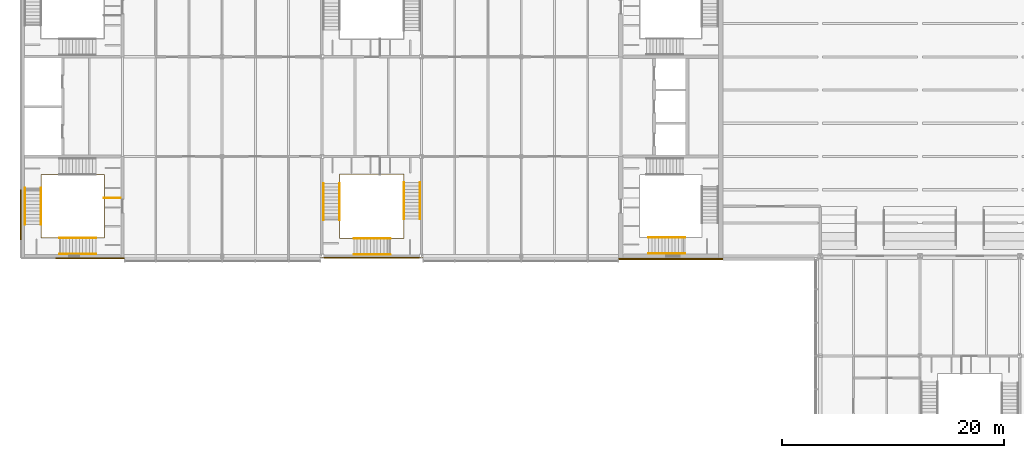
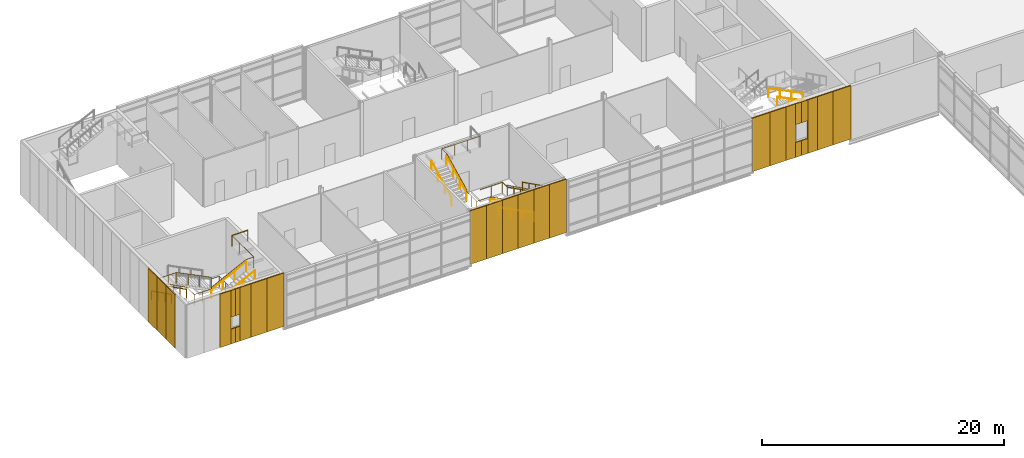
# One storey, part 46 of 52: 27 coverings, 15 railings.
"""IFC4 building model written with IfcOpenShell, lengths in metres."""

import ifcopenshell
import ifcopenshell.guid

model = None  # the IFC model being written
_history = None  # IfcOwnerHistory: only IFC2X3 demands one
_inside = {}  # id of a spatial element -> (the spatial element, [elements in it])
_under = {}  # id of a project, library or spatial element -> (it, [spatial elements below it])
_declared = {}  # id of a project -> (the project, [libraries it declares])
_typed = {}  # id of a type object -> (the type object, [elements of that type])
_made_of = {}  # id of a material, layer set ... -> (it, [elements and type objects made of it])


def new_model(schema):
    """Start an empty IFC model of exactly this schema.

    Asked for "IFC4X3", IfcOpenShell would pick the latest addendum, in which some entities
    have other attributes; the version numbers below select the first issue.
    IFC2X3 requires an IfcOwnerHistory on every rooted entity: one is made here for all.
    """
    global model, _history
    if schema == "IFC4X3":
        model = ifcopenshell.file(schema_version=(4, 3, 0, 0))
    else:
        model = ifcopenshell.file(schema=schema)
    _inside.clear()
    _under.clear()
    _declared.clear()
    _typed.clear()
    _made_of.clear()
    _history = None
    if model.schema == "IFC2X3":
        org = make("IfcOrganization", Name="unknown")
        user = make(
            "IfcPersonAndOrganization",
            ThePerson=make("IfcPerson", FamilyName="unknown"),
            TheOrganization=org,
        )
        app = make(
            "IfcApplication",
            ApplicationDeveloper=org,
            Version="unknown",
            ApplicationFullName="unknown",
            ApplicationIdentifier="unknown",
        )
        _history = make(
            "IfcOwnerHistory",
            OwningUser=user,
            OwningApplication=app,
            ChangeAction="ADDED",
            CreationDate=0,
        )
    return model


def make(cls, **values):
    """One entity of the class cls with the attributes given. An attribute that is None is left unset."""
    return model.create_entity(
        cls, **{name: value for name, value in values.items() if value is not None}
    )


def rooted(cls, **values):
    """An entity with a GlobalId (a new one), such as an element, a storey or a relation."""
    return make(cls, GlobalId=ifcopenshell.guid.new(), OwnerHistory=_history, **values)


def si_unit(unit_type, name, prefix=None):
    """IfcSIUnit, for example si_unit("LENGTHUNIT", "METRE", prefix="MILLI")."""
    return make("IfcSIUnit", UnitType=unit_type, Prefix=prefix, Name=name)


def assignment(units):
    """IfcUnitAssignment: the units of a project."""
    return None if units is None else make("IfcUnitAssignment", Units=units)


def point(xyz):
    """IfcCartesianPoint."""
    return None if xyz is None else make("IfcCartesianPoint", Coordinates=xyz)


def direction(xyz):
    """IfcDirection."""
    return None if xyz is None else make("IfcDirection", DirectionRatios=xyz)


def frame(location, z_axis=None, x_axis=None):
    """IfcAxis2Placement3D, a coordinate frame: its origin and axes. An axis left out is left unset."""
    return make(
        "IfcAxis2Placement3D",
        Location=point(location),
        Axis=direction(z_axis),
        RefDirection=direction(x_axis),
    )


def frame_2d(location, x_axis=None):
    """IfcAxis2Placement2D, a coordinate frame in the plane: its origin and x axis."""
    return make(
        "IfcAxis2Placement2D", Location=point(location), RefDirection=direction(x_axis)
    )


def origin():
    """The frame at (0, 0, 0) with its axes left unset."""
    return frame((0.0, 0.0, 0.0))


def origin_2d():
    """The frame at (0, 0) in the plane with its x axis left unset."""
    return frame_2d((0.0, 0.0))


def place(relative_to, where):
    """IfcLocalPlacement: puts the frame where relative to a parent placement (None: the world)."""
    return make(
        "IfcLocalPlacement", PlacementRelTo=relative_to, RelativePlacement=where
    )


def context(
    kind, dimensions, precision=None, world=None, true_north=None, identifier=None
):
    """IfcGeometricRepresentationContext, for example the 3D "Model" context."""
    return make(
        "IfcGeometricRepresentationContext",
        ContextIdentifier=identifier,
        ContextType=kind,
        CoordinateSpaceDimension=dimensions,
        Precision=precision,
        WorldCoordinateSystem=world,
        TrueNorth=true_north,
    )


def subcontext(parent, identifier, kind, view, scale=None):
    """IfcGeometricRepresentationSubContext, for example "Body" below "Model"."""
    return make(
        "IfcGeometricRepresentationSubContext",
        ContextIdentifier=identifier,
        ContextType=kind,
        ParentContext=parent,
        TargetScale=scale,
        TargetView=view,
    )


def project(units=None, contexts=None):
    """IfcProject with its units and contexts."""
    return rooted(
        "IfcProject",
        Name="project",
        RepresentationContexts=contexts,
        UnitsInContext=assignment(units),
    )


def spatial(cls, under=None, at=None, **own):
    """A site, building, storey or space (cls), placed at a placement, below another one or the project."""
    s = rooted(cls, ObjectPlacement=at, **own)
    if under is not None:
        _under.setdefault(under.id(), (under, []))[1].append(s)
    return s


def profile(cls, at=None, kind="AREA", **sizes):
    """A parametric profile (cls). Its sizes go by their IFC names, for example OverallWidth=200.0."""
    return make(cls, ProfileType=kind, Position=at, **sizes)


def rectangle(**sizes):
    """IfcRectangleProfileDef."""
    return profile("IfcRectangleProfileDef", **sizes)


def circle(**sizes):
    """IfcCircleProfileDef."""
    return profile("IfcCircleProfileDef", **sizes)


def extrude(swept, where, along, depth):
    """IfcExtrudedAreaSolid: the profile swept, set in the frame where, extruded along a direction by depth."""
    return make(
        "IfcExtrudedAreaSolid",
        SweptArea=swept,
        Position=where,
        ExtrudedDirection=direction(along),
        Depth=depth,
    )


def shape(context_of_items, identifier, shape_type, items):
    """IfcShapeRepresentation: the items that make up one representation, for example the "Body"."""
    return make(
        "IfcShapeRepresentation",
        ContextOfItems=context_of_items,
        RepresentationIdentifier=identifier,
        RepresentationType=shape_type,
        Items=items,
    )


def material(Name=None, Category=None):
    """IfcMaterial."""
    return make("IfcMaterial", Name=Name, Category=Category)


def layer(
    of_material, thickness, ventilated=None, Name=None, Category=None, Priority=None
):
    """IfcMaterialLayer: one layer of a wall or slab, of a material (None: an air gap)."""
    return make(
        "IfcMaterialLayer",
        Material=of_material,
        LayerThickness=thickness,
        IsVentilated=ventilated,
        Name=Name,
        Category=Category,
        Priority=Priority,
    )


def layer_set(layers, Name=None):
    """IfcMaterialLayerSet."""
    return make("IfcMaterialLayerSet", MaterialLayers=layers, LayerSetName=Name)


def made_of(thing, what):
    """Note that an element or type object is made of a material, layer set ...; save() writes the relation."""
    if what is not None:
        _made_of.setdefault(what.id(), (what, []))[1].append(thing)
    return thing


def type_object(cls, material=None, **own):
    """A type object (cls), such as IfcWallType, which elements share."""
    return made_of(rooted(cls, **own), material)


def element(
    cls,
    number,
    at=None,
    inside=None,
    cuts=None,
    type_object=None,
    material=None,
    context=None,
    identifier="Body",
    shape_type=None,
    held_by="IfcProductDefinitionShape",
    body=None,
    shapes=None,
    **own,
):
    """One element of the class cls, such as IfcWall. Its Tag is "e" and its number.

    at: its placement. inside: the storey or other place that contains it. cuts: it is an
    opening in that element (IfcRelVoidsElement). A single representation is given by context,
    identifier, shape_type and body (its items); several are given by shapes. held_by: the class
    of the entity that holds the representations. save() writes the other relations.
    """
    e = rooted(cls, Tag="e%d" % number, ObjectPlacement=at, **own)
    if body is not None:
        shapes = [shape(context, identifier, shape_type, body)]
    if shapes is not None:
        e.Representation = make(held_by, Representations=shapes)
    if inside is not None:
        _inside.setdefault(inside.id(), (inside, []))[1].append(e)
    if cuts is not None:
        rooted(
            "IfcRelVoidsElement", RelatingBuildingElement=cuts, RelatedOpeningElement=e
        )
    if type_object is not None:
        _typed.setdefault(type_object.id(), (type_object, []))[1].append(e)
    return made_of(e, material)


def aggregate(whole, parts):
    """IfcRelAggregates: a whole, such as a stair, and the parts it consists of."""
    return rooted("IfcRelAggregates", RelatingObject=whole, RelatedObjects=parts)


def save(model, path):
    """Write the relations noted so far, then the file.

    IfcRelAggregates (storeys below a building ...), IfcRelContainedInSpatialStructure (elements
    in a storey), IfcRelDefinesByType, IfcRelAssociatesMaterial and IfcRelDeclares: one each for
    every whole, place, type object, material and project.
    """
    for whole, parts in _under.values():
        aggregate(whole, parts)
    for where, things in _inside.values():
        rooted(
            "IfcRelContainedInSpatialStructure",
            RelatedElements=things,
            RelatingStructure=where,
        )
    for kind, things in _typed.values():
        rooted("IfcRelDefinesByType", RelatedObjects=things, RelatingType=kind)
    for what, things in _made_of.values():
        rooted("IfcRelAssociatesMaterial", RelatedObjects=things, RelatingMaterial=what)
    for by, libraries in _declared.values():
        rooted("IfcRelDeclares", RelatingContext=by, RelatedDefinitions=libraries)
    model.write(path)


model = new_model("IFC4")

# Units and contexts
model_context = context("Model", 3, precision=1e-05, world=origin(), true_north=direction((0.0, 1.0)))
body_context = subcontext(model_context, "Body", "Model", "MODEL_VIEW")
ifc_project = project(units=[si_unit("LENGTHUNIT", "METRE"), si_unit("AREAUNIT", "SQUARE_METRE"), si_unit("VOLUMEUNIT", "CUBIC_METRE"), si_unit("PLANEANGLEUNIT", "RADIAN"), si_unit("MASSUNIT", "GRAM", prefix="KILO")], contexts=[model_context])

# Site, building, storey
site_placement = place(None, origin())
site = spatial("IfcSite", under=ifc_project, at=site_placement, CompositionType="ELEMENT")
building_placement = place(site_placement, origin())
building = spatial("IfcBuilding", under=site, at=building_placement, Name="Azimuth Sports and Learning Centre", CompositionType="ELEMENT")
storey_placement = place(building_placement, frame((0.0, 0.0, 16.199951171875)))
storey = spatial("IfcBuildingStorey", under=building, at=storey_placement, Name="L03", CompositionType="ELEMENT", Elevation=16.199951171875)

# Coverings
ifc_material_1 = material(Name="Cladding panel")
ifc_layer = layer(ifc_material_1, 0.10009765625)
ifc_layer_set = layer_set([ifc_layer], Name="Cladding panel")
covering_type = type_object("IfcCoveringType", Name="Cladding panel 100", PredefinedType="CLADDING", material=ifc_layer_set)
covering_1_placement = place(storey_placement, frame((3.52490234375, 89.800048828125, 0.0), z_axis=(0.0, 0.0, 1.0), x_axis=(1.0, 0.0, 0.0)))
element("IfcCovering", 1, at=covering_1_placement, inside=storey, type_object=covering_type, Name="Cladding panel S-END W L03 3", PredefinedType="CLADDING", context=body_context, shape_type="SweptSolid", body=[
    extrude(rectangle(XDim=1.050048828125, YDim=0.10009765625, at=origin_2d()), origin(), (0.0, 0.0, 1.0), 5.39990234375),
])
covering_2_placement = place(storey_placement, frame((4.27490234375, 89.800048828125, 0.0), z_axis=(0.0, 0.0, 1.0), x_axis=(1.0, 0.0, 0.0)))
element("IfcCovering", 2, at=covering_2_placement, inside=storey, type_object=covering_type, Name="Cladding panel S-END W L03 4", PredefinedType="CLADDING", context=body_context, shape_type="SweptSolid", body=[
    extrude(rectangle(XDim=0.449951171875, YDim=0.10009765625, at=origin_2d()), origin(), (0.0, 0.0, 1.0), 1.5),
])
covering_3_placement = place(storey_placement, frame((4.27490234375, 89.800048828125, 2.7001953125), z_axis=(0.0, 0.0, 1.0), x_axis=(1.0, 0.0, 0.0)))
element("IfcCovering", 3, at=covering_3_placement, inside=storey, type_object=covering_type, Name="Cladding panel S-END W L03 5", PredefinedType="CLADDING", context=body_context, shape_type="SweptSolid", body=[
    extrude(rectangle(XDim=0.449951171875, YDim=0.10009765625, at=origin_2d()), origin(), (0.0, 0.0, 1.0), 2.699951171875),
])
covering_4_placement = place(storey_placement, frame((5.47509765625, 89.800048828125, 0.0), z_axis=(0.0, 0.0, 1.0), x_axis=(1.0, 0.0, 0.0)))
element("IfcCovering", 4, at=covering_4_placement, inside=storey, type_object=covering_type, Name="Cladding panel S-END W L03 6", PredefinedType="CLADDING", context=body_context, shape_type="SweptSolid", body=[
    extrude(rectangle(XDim=1.050048828125, YDim=0.10009765625, at=origin_2d()), origin(), (0.0, 0.0, 1.0), 5.39990234375),
])
covering_5_placement = place(storey_placement, frame((4.72509765625, 89.800048828125, 0.0), z_axis=(0.0, 0.0, 1.0), x_axis=(1.0, 0.0, 0.0)))
element("IfcCovering", 5, at=covering_5_placement, inside=storey, type_object=covering_type, Name="Cladding panel S-END W L03 7", PredefinedType="CLADDING", context=body_context, shape_type="SweptSolid", body=[
    extrude(rectangle(XDim=0.449951171875, YDim=0.10009765625, at=origin_2d()), origin(), (0.0, 0.0, 1.0), 1.5),
])
covering_6_placement = place(storey_placement, frame((4.72509765625, 89.800048828125, 2.7001953125), z_axis=(0.0, 0.0, 1.0), x_axis=(1.0, 0.0, 0.0)))
element("IfcCovering", 6, at=covering_6_placement, inside=storey, type_object=covering_type, Name="Cladding panel S-END W L03 8", PredefinedType="CLADDING", context=body_context, shape_type="SweptSolid", body=[
    extrude(rectangle(XDim=0.449951171875, YDim=0.10009765625, at=origin_2d()), origin(), (0.0, 0.0, 1.0), 2.699951171875),
])
covering_7_placement = place(storey_placement, frame((6.75, 89.800048828125, 0.0), z_axis=(0.0, 0.0, 1.0), x_axis=(1.0, 0.0, 0.0)))
element("IfcCovering", 7, at=covering_7_placement, inside=storey, type_object=covering_type, Name="Cladding panel S-END W L03 9", PredefinedType="CLADDING", context=body_context, shape_type="SweptSolid", body=[
    extrude(rectangle(XDim=1.5, YDim=0.10009765625, at=origin_2d()), origin(), (0.0, 0.0, 1.0), 5.39990234375),
])
covering_8_placement = place(storey_placement, frame((8.324951171875, 89.800048828125, 0.0), z_axis=(0.0, 0.0, 1.0), x_axis=(1.0, 0.0, 0.0)))
element("IfcCovering", 8, at=covering_8_placement, inside=storey, type_object=covering_type, Name="Cladding panel S-END W L03 10", PredefinedType="CLADDING", context=body_context, shape_type="SweptSolid", body=[
    extrude(rectangle(XDim=1.64990234375, YDim=0.10009765625, at=origin_2d()), origin(), (0.0, 0.0, 1.0), 5.39990234375),
])
covering_9_placement = place(storey_placement, frame((27.699951171875, 89.85009765625, 0.0), z_axis=(0.0, 0.0, 1.0), x_axis=(1.0, 0.0, 0.0)))
element("IfcCovering", 9, at=covering_9_placement, inside=storey, type_object=covering_type, Name="Cladding panel S-WM1 L03 1", PredefinedType="CLADDING", context=body_context, shape_type="SweptSolid", body=[
    extrude(rectangle(XDim=1.60009765625, YDim=0.10009765625, at=origin_2d()), origin(), (0.0, 0.0, 1.0), 5.39990234375),
])
for number, where, z_axis, x_axis, name in (
    (10, (29.25, 89.85009765625, 0.0), (0.0, 0.0, 1.0), (1.0, 0.0, 0.0), "Cladding panel S-WM1 L03 2"),
    (11, (30.75, 89.85009765625, 0.0), (0.0, 0.0, 1.0), (1.0, 0.0, 0.0), "Cladding panel S-WM1 L03 3"),
    (12, (32.25, 89.85009765625, 0.0), (0.0, 0.0, 1.0), (1.0, 0.0, 0.0), "Cladding panel S-WM1 L03 4"),
    (13, (33.75, 89.85009765625, 0.0), (0.0, 0.0, 1.0), (1.0, 0.0, 0.0), "Cladding panel S-WM1 L03 5"),
):
    element("IfcCovering", number, at=place(storey_placement, frame(where, z_axis=z_axis, x_axis=x_axis)), inside=storey, type_object=covering_type, Name=name, PredefinedType="CLADDING", context=body_context, shape_type="SweptSolid", body=[
        extrude(rectangle(XDim=1.5, YDim=0.10009765625, at=origin_2d()), origin(), (0.0, 0.0, 1.0), 5.39990234375),
    ])
covering_10_placement = place(storey_placement, frame((35.300048828125, 89.85009765625, 0.0), z_axis=(0.0, 0.0, 1.0), x_axis=(1.0, 0.0, 0.0)))
element("IfcCovering", 14, at=covering_10_placement, inside=storey, type_object=covering_type, Name="Cladding panel S-WM1 L03 6", PredefinedType="CLADDING", context=body_context, shape_type="SweptSolid", body=[
    extrude(rectangle(XDim=1.60009765625, YDim=0.10009765625, at=origin_2d()), origin(), (0.0, 0.0, 1.0), 5.39990234375),
])
covering_11_placement = place(storey_placement, frame((54.64990234375, 89.75, 0.0), z_axis=(0.0, 0.0, 1.0), x_axis=(1.0, 0.0, 0.0)))
element("IfcCovering", 15, at=covering_11_placement, inside=storey, type_object=covering_type, Name="Cladding panel S-CORE W L03 1", PredefinedType="CLADDING", context=body_context, shape_type="SweptSolid", body=[
    extrude(rectangle(XDim=1.699951171875, YDim=0.10009765625, at=origin_2d()), origin(), (0.0, 0.0, 1.0), 5.39990234375),
])
covering_12_placement = place(storey_placement, frame((56.25, 89.75, 0.0), z_axis=(0.0, 0.0, 1.0), x_axis=(1.0, 0.0, 0.0)))
element("IfcCovering", 16, at=covering_12_placement, inside=storey, type_object=covering_type, Name="Cladding panel S-CORE W L03 2", PredefinedType="CLADDING", context=body_context, shape_type="SweptSolid", body=[
    extrude(rectangle(XDim=1.5, YDim=0.10009765625, at=origin_2d()), origin(), (0.0, 0.0, 1.0), 5.39990234375),
])
covering_13_placement = place(storey_placement, frame((57.449951171875, 89.75, 0.0), z_axis=(0.0, 0.0, 1.0), x_axis=(1.0, 0.0, 0.0)))
element("IfcCovering", 17, at=covering_13_placement, inside=storey, type_object=covering_type, Name="Cladding panel S-CORE W L03 3", PredefinedType="CLADDING", context=body_context, shape_type="SweptSolid", body=[
    extrude(rectangle(XDim=0.89990234375, YDim=0.10009765625, at=origin_2d()), origin(), (0.0, 0.0, 1.0), 5.39990234375),
])
covering_14_placement = place(storey_placement, frame((58.199951171875, 89.75, 0.0), z_axis=(0.0, 0.0, 1.0), x_axis=(1.0, 0.0, 0.0)))
element("IfcCovering", 18, at=covering_14_placement, inside=storey, type_object=covering_type, Name="Cladding panel S-CORE W L03 4", PredefinedType="CLADDING", context=body_context, shape_type="SweptSolid", body=[
    extrude(rectangle(XDim=0.60009765625, YDim=0.10009765625, at=origin_2d()), origin(), (0.0, 0.0, 1.0), 1.5),
])
covering_15_placement = place(storey_placement, frame((58.199951171875, 89.75, 3.300048828125), z_axis=(0.0, 0.0, 1.0), x_axis=(1.0, 0.0, 0.0)))
element("IfcCovering", 19, at=covering_15_placement, inside=storey, type_object=covering_type, Name="Cladding panel S-CORE W L03 5", PredefinedType="CLADDING", context=body_context, shape_type="SweptSolid", body=[
    extrude(rectangle(XDim=0.60009765625, YDim=0.10009765625, at=origin_2d()), origin(), (0.0, 0.0, 1.0), 2.10009765625),
])
covering_16_placement = place(storey_placement, frame((59.550048828125, 89.75, 0.0), z_axis=(0.0, 0.0, 1.0), x_axis=(1.0, 0.0, 0.0)))
element("IfcCovering", 20, at=covering_16_placement, inside=storey, type_object=covering_type, Name="Cladding panel S-CORE W L03 6", PredefinedType="CLADDING", context=body_context, shape_type="SweptSolid", body=[
    extrude(rectangle(XDim=0.89990234375, YDim=0.10009765625, at=origin_2d()), origin(), (0.0, 0.0, 1.0), 5.39990234375),
])
covering_17_placement = place(storey_placement, frame((58.800048828125, 89.75, 0.0), z_axis=(0.0, 0.0, 1.0), x_axis=(1.0, 0.0, 0.0)))
element("IfcCovering", 21, at=covering_17_placement, inside=storey, type_object=covering_type, Name="Cladding panel S-CORE W L03 7", PredefinedType="CLADDING", context=body_context, shape_type="SweptSolid", body=[
    extrude(rectangle(XDim=0.60009765625, YDim=0.10009765625, at=origin_2d()), origin(), (0.0, 0.0, 1.0), 1.5),
])
covering_18_placement = place(storey_placement, frame((58.800048828125, 89.75, 3.300048828125), z_axis=(0.0, 0.0, 1.0), x_axis=(1.0, 0.0, 0.0)))
element("IfcCovering", 22, at=covering_18_placement, inside=storey, type_object=covering_type, Name="Cladding panel S-CORE W L03 8", PredefinedType="CLADDING", context=body_context, shape_type="SweptSolid", body=[
    extrude(rectangle(XDim=0.60009765625, YDim=0.10009765625, at=origin_2d()), origin(), (0.0, 0.0, 1.0), 2.10009765625),
])
covering_19_placement = place(storey_placement, frame((60.75, 89.75, 0.0), z_axis=(0.0, 0.0, 1.0), x_axis=(1.0, 0.0, 0.0)))
element("IfcCovering", 23, at=covering_19_placement, inside=storey, type_object=covering_type, Name="Cladding panel S-CORE W L03 9", PredefinedType="CLADDING", context=body_context, shape_type="SweptSolid", body=[
    extrude(rectangle(XDim=1.5, YDim=0.10009765625, at=origin_2d()), origin(), (0.0, 0.0, 1.0), 5.39990234375),
])
covering_20_placement = place(storey_placement, frame((62.35009765625, 89.75, 0.0), z_axis=(0.0, 0.0, 1.0), x_axis=(1.0, 0.0, 0.0)))
element("IfcCovering", 24, at=covering_20_placement, inside=storey, type_object=covering_type, Name="Cladding panel S-CORE W L03 10", PredefinedType="CLADDING", context=body_context, shape_type="SweptSolid", body=[
    extrude(rectangle(XDim=1.699951171875, YDim=0.10009765625, at=origin_2d()), origin(), (0.0, 0.0, 1.0), 5.39990234375),
])
for number, where, z_axis, x_axis, name in (
    (25, (-0.199951171875, 95.25, 0.0), (0.0, 0.0, 1.0), (0.0, -1.0, 0.0), "Cladding panel W-END W L03 15"),
    (26, (-0.199951171875, 93.75, 0.0), (0.0, 0.0, 1.0), (0.0, -1.0, 0.0), "Cladding panel W-END W L03 16"),
    (27, (-0.199951171875, 92.25, 0.0), (0.0, 0.0, 1.0), (0.0, -1.0, 0.0), "Cladding panel W-END W L03 17"),
):
    element("IfcCovering", number, at=place(storey_placement, frame(where, z_axis=z_axis, x_axis=x_axis)), inside=storey, type_object=covering_type, Name=name, PredefinedType="CLADDING", context=body_context, shape_type="SweptSolid", body=[
        extrude(rectangle(XDim=1.5, YDim=0.10009765625, at=origin_2d()), origin(), (0.0, 0.0, 1.0), 5.39990234375),
    ])

# Railings
ifc_material_2 = material(Name="Stainless steel", Category="steel")
railing_type_1 = type_object("IfcRailingType", Name="Stair guard 1100", PredefinedType="GUARDRAIL", material=ifc_material_2)
railing_1_placement = place(storey_placement, frame((7.340087890625, 95.25, 0.0)))
element("IfcRailing", 28, at=railing_1_placement, inside=storey, type_object=railing_type_1, Name="Guard WW1 L03 well", PredefinedType="GUARDRAIL", context=body_context, shape_type="SweptSolid", body=[
    extrude(circle(Radius=0.02392578125, at=origin_2d()), frame((0.0, 0.0, 1.076171875), z_axis=(0.0, 1.0, 0.0), x_axis=(-1.0, 0.0, 0.0)), (0.0, 0.0, 1.0), 2.114990234375),
    extrude(circle(Radius=0.02392578125, at=origin_2d()), frame((0.0, 2.114990234375, 1.076171875), z_axis=(-1.0, 0.0, 0.0), x_axis=(0.0, -1.0, 0.0)), (0.0, 0.0, 1.0), 0.75),
    extrude(circle(Radius=0.02392578125, at=origin_2d()), frame((-0.75, 2.114990234375, 1.076171875), z_axis=(0.0, 0.0, 1.0), x_axis=(1.0, 0.0, 0.0)), (0.0, 0.0, 1.0), 0.150146484375),
    extrude(circle(Radius=0.02392578125, at=origin_2d()), frame((-0.75, 2.114990234375, 1.22607421875), z_axis=(-0.894440424912, 0.0, 0.447187126696), x_axis=(0.0, -1.0, 0.0)), (0.0, 0.0, 1.0), 3.689453125),
    extrude(circle(Radius=0.02392578125, at=origin_2d()), frame((-4.050048828125, 2.114990234375, 2.8759765625), z_axis=(-1.0, 0.0, 0.0), x_axis=(0.0, -1.0, 0.0)), (0.0, 0.0, 1.0), 1.630126953125),
    extrude(circle(Radius=0.02392578125, at=origin_2d()), frame((-5.68017578125, 2.114990234375, 2.8759765625), z_axis=(0.0, -1.0, 0.0), x_axis=(1.0, 0.0, 0.0)), (0.0, 0.0, 1.0), 1.199951171875),
    extrude(circle(Radius=0.02392578125, at=origin_2d()), frame((-5.68017578125, 0.9150390625, 2.8759765625), z_axis=(0.0, 0.0, 1.0), x_axis=(1.0, 0.0, 0.0)), (0.0, 0.0, 1.0), 0.14990234375),
    extrude(circle(Radius=0.02392578125, at=origin_2d()), frame((-5.68017578125, 0.9150390625, 3.02587890625), z_axis=(0.0, -0.894413956696, 0.447240063129), x_axis=(1.0, 0.0, 0.0)), (0.0, 0.0, 1.0), 3.689697265625),
    extrude(circle(Radius=0.02392578125, at=origin_2d()), frame((-5.68017578125, -2.385009765625, 4.67626953125), z_axis=(0.0, -1.0, 0.0), x_axis=(1.0, 0.0, 0.0)), (0.0, 0.0, 1.0), 1.205078125),
    extrude(circle(Radius=0.02392578125, at=origin_2d()), frame((-5.68017578125, -3.590087890625, 4.67626953125), z_axis=(1.0, 0.0, 0.0), x_axis=(0.0, 1.0, 0.0)), (0.0, 0.0, 1.0), 1.650146484375),
    extrude(circle(Radius=0.02392578125, at=origin_2d()), frame((-4.030029296875, -3.590087890625, 4.67626953125), z_axis=(0.0, 0.0, 1.0), x_axis=(1.0, 0.0, 0.0)), (0.0, 0.0, 1.0), 0.14990234375),
    extrude(circle(Radius=0.02392578125, at=origin_2d()), frame((-4.030029296875, -3.590087890625, 4.826171875), z_axis=(0.894413956696, 0.0, 0.447240063129), x_axis=(0.0, 1.0, 0.0)), (0.0, 0.0, 1.0), 3.689697265625),
    extrude(circle(Radius=0.02392578125, at=origin_2d()), frame((-0.72998046875, -3.590087890625, 6.47607421875), z_axis=(1.0, 0.0, 0.0), x_axis=(0.0, 1.0, 0.0)), (0.0, 0.0, 1.0), 0.72998046875),
    extrude(circle(Radius=0.02392578125, at=origin_2d()), frame((0.0, -3.590087890625, 6.47607421875), z_axis=(0.0, 1.0, 0.0), x_axis=(-1.0, 0.0, 0.0)), (0.0, 0.0, 1.0), 3.590087890625),
    extrude(circle(Radius=0.01611328125, at=origin_2d()), origin(), (0.0, 0.0, 1.0), 1.052001953125),
    extrude(circle(Radius=0.01611328125, at=origin_2d()), frame((0.0, 1.0576171875, 0.0)), (0.0, 0.0, 1.0), 1.052001953125),
    extrude(circle(Radius=0.01611328125, at=origin_2d()), frame((0.0, 2.114990234375, 0.0)), (0.0, 0.0, 1.0), 1.052001953125),
    extrude(circle(Radius=0.01611328125, at=origin_2d()), frame((-0.75, 2.114990234375, 0.0)), (0.0, 0.0, 1.0), 1.052001953125),
    extrude(circle(Radius=0.01611328125, at=origin_2d()), frame((-0.75, 2.114990234375, 0.150146484375)), (0.0, 0.0, 1.0), 1.052001953125),
    extrude(circle(Radius=0.01611328125, at=origin_2d()), frame((-1.85009765625, 2.114990234375, 0.7001953125)), (0.0, 0.0, 1.0), 1.052001953125),
    extrude(circle(Radius=0.01611328125, at=origin_2d()), frame((-2.949951171875, 2.114990234375, 1.25)), (0.0, 0.0, 1.0), 1.052001953125),
    extrude(circle(Radius=0.01611328125, at=origin_2d()), frame((-4.050048828125, 2.114990234375, 1.800048828125)), (0.0, 0.0, 1.0), 1.052001953125),
    extrude(circle(Radius=0.01611328125, at=origin_2d()), frame((-4.865234375, 2.114990234375, 1.800048828125)), (0.0, 0.0, 1.0), 1.052001953125),
    extrude(circle(Radius=0.01611328125, at=origin_2d()), frame((-5.68017578125, 2.114990234375, 1.800048828125)), (0.0, 0.0, 1.0), 1.052001953125),
    extrude(circle(Radius=0.01611328125, at=origin_2d()), frame((-5.68017578125, 0.9150390625, 1.800048828125)), (0.0, 0.0, 1.0), 1.052001953125),
    extrude(circle(Radius=0.01611328125, at=origin_2d()), frame((-5.68017578125, 0.9150390625, 1.949951171875)), (0.0, 0.0, 1.0), 1.052001953125),
    extrude(circle(Radius=0.01611328125, at=origin_2d()), frame((-5.68017578125, -0.18505859375, 2.5)), (0.0, 0.0, 1.0), 1.052001953125),
    extrude(circle(Radius=0.01611328125, at=origin_2d()), frame((-5.68017578125, -1.284912109375, 3.050048828125)), (0.0, 0.0, 1.0), 1.052001953125),
    extrude(circle(Radius=0.01611328125, at=origin_2d()), frame((-5.68017578125, -2.385009765625, 3.60009765625)), (0.0, 0.0, 1.0), 1.052001953125),
    extrude(circle(Radius=0.01611328125, at=origin_2d()), frame((-5.68017578125, -3.590087890625, 3.60009765625)), (0.0, 0.0, 1.0), 1.052001953125),
    extrude(circle(Radius=0.01611328125, at=origin_2d()), frame((-4.85498046875, -3.590087890625, 3.60009765625)), (0.0, 0.0, 1.0), 1.052001953125),
    extrude(circle(Radius=0.01611328125, at=origin_2d()), frame((-4.030029296875, -3.590087890625, 3.60009765625)), (0.0, 0.0, 1.0), 1.052001953125),
    extrude(circle(Radius=0.01611328125, at=origin_2d()), frame((-4.030029296875, -3.590087890625, 3.75)), (0.0, 0.0, 1.0), 1.052001953125),
    extrude(circle(Radius=0.01611328125, at=origin_2d()), frame((-2.929931640625, -3.590087890625, 4.300048828125)), (0.0, 0.0, 1.0), 1.052001953125),
    extrude(circle(Radius=0.01611328125, at=origin_2d()), frame((-1.830078125, -3.590087890625, 4.85009765625)), (0.0, 0.0, 1.0), 1.052001953125),
    extrude(circle(Radius=0.01611328125, at=origin_2d()), frame((-0.72998046875, -3.590087890625, 5.400146484375)), (0.0, 0.0, 1.0), 1.052001953125),
    extrude(circle(Radius=0.01611328125, at=origin_2d()), frame((0.0, -3.590087890625, 5.400146484375)), (0.0, 0.0, 1.0), 1.052001953125),
    extrude(circle(Radius=0.01611328125, at=origin_2d()), frame((0.0, -2.393310546875, 5.400146484375)), (0.0, 0.0, 1.0), 1.052001953125),
    extrude(circle(Radius=0.01611328125, at=origin_2d()), frame((0.0, -1.19677734375, 5.400146484375)), (0.0, 0.0, 1.0), 1.052001953125),
    extrude(circle(Radius=0.01611328125, at=origin_2d()), frame((0.0, 0.0, 5.400146484375)), (0.0, 0.0, 1.0), 1.052001953125),
])
railing_2_placement = place(storey_placement, frame((7.340087890625, 95.25, 5.400146484375)))
element("IfcRailing", 29, at=railing_2_placement, inside=storey, type_object=railing_type_1, Name="Guard WW1 L03 top landing end", PredefinedType="GUARDRAIL", context=body_context, shape_type="SweptSolid", body=[
    extrude(circle(Radius=0.02392578125, at=origin_2d()), frame((0.0, 0.0, 1.076171875), z_axis=(1.0, 0.0, 0.0), x_axis=(0.0, 1.0, 0.0)), (0.0, 0.0, 1.0), 1.5),
    extrude(circle(Radius=0.01611328125, at=origin_2d()), origin(), (0.0, 0.0, 1.0), 1.052001953125),
    extrude(circle(Radius=0.01611328125, at=origin_2d()), frame((1.5, 0.0, 0.0)), (0.0, 0.0, 1.0), 1.052001953125),
])
railing_3_placement = place(storey_placement, frame((32.25, 97.389892578125, 0.0)))
element("IfcRailing", 30, at=railing_3_placement, inside=storey, type_object=railing_type_1, Name="Guard WM1 L03 well", PredefinedType="GUARDRAIL", context=body_context, shape_type="SweptSolid", body=[
    extrude(circle(Radius=0.02392578125, at=origin_2d()), frame((0.0, 0.0, 1.076171875), z_axis=(1.0, 0.0, 0.0), x_axis=(0.0, 1.0, 0.0)), (0.0, 0.0, 1.0), 2.139892578125),
    extrude(circle(Radius=0.02392578125, at=origin_2d()), frame((2.139892578125, 0.0, 1.076171875), z_axis=(0.0, -1.0, 0.0), x_axis=(1.0, 0.0, 0.0)), (0.0, 0.0, 1.0), 0.75),
    extrude(circle(Radius=0.02392578125, at=origin_2d()), frame((2.139892578125, -0.75, 1.076171875), z_axis=(0.0, 0.0, 1.0), x_axis=(1.0, 0.0, 0.0)), (0.0, 0.0, 1.0), 0.150146484375),
    extrude(circle(Radius=0.02392578125, at=origin_2d()), frame((2.139892578125, -0.75, 1.22607421875), z_axis=(0.0, -0.894427191, 0.4472135955), x_axis=(1.0, 0.0, 0.0)), (0.0, 0.0, 1.0), 3.689208984375),
    extrude(circle(Radius=0.02392578125, at=origin_2d()), frame((2.139892578125, -4.0498046875, 2.8759765625), z_axis=(0.0, -1.0, 0.0), x_axis=(1.0, 0.0, 0.0)), (0.0, 0.0, 1.0), 1.72998046875),
    extrude(circle(Radius=0.02392578125, at=origin_2d()), frame((2.139892578125, -5.77978515625, 2.8759765625), z_axis=(-1.0, 0.0, 0.0), x_axis=(0.0, -1.0, 0.0)), (0.0, 0.0, 1.0), 1.199951171875),
    extrude(circle(Radius=0.02392578125, at=origin_2d()), frame((0.93994140625, -5.77978515625, 2.8759765625), z_axis=(0.0, 0.0, 1.0), x_axis=(1.0, 0.0, 0.0)), (0.0, 0.0, 1.0), 0.14990234375),
    extrude(circle(Radius=0.02392578125, at=origin_2d()), frame((0.93994140625, -5.77978515625, 3.02587890625), z_axis=(-0.894413956696, 0.0, 0.447240063129), x_axis=(0.0, -1.0, 0.0)), (0.0, 0.0, 1.0), 3.689697265625),
    extrude(circle(Radius=0.02392578125, at=origin_2d()), frame((-2.360107421875, -5.77978515625, 4.67626953125), z_axis=(-1.0, 0.0, 0.0), x_axis=(0.0, -1.0, 0.0)), (0.0, 0.0, 1.0), 1.27978515625),
    extrude(circle(Radius=0.02392578125, at=origin_2d()), frame((-3.639892578125, -5.77978515625, 4.67626953125), z_axis=(0.0, 1.0, 0.0), x_axis=(-1.0, 0.0, 0.0)), (0.0, 0.0, 1.0), 1.64990234375),
    extrude(circle(Radius=0.02392578125, at=origin_2d()), frame((-3.639892578125, -4.1298828125, 4.67626953125), z_axis=(0.0, 0.0, 1.0), x_axis=(1.0, 0.0, 0.0)), (0.0, 0.0, 1.0), 0.14990234375),
    extrude(circle(Radius=0.02392578125, at=origin_2d()), frame((-3.639892578125, -4.1298828125, 4.826171875), z_axis=(0.0, 0.894413956696, 0.447240063129), x_axis=(-1.0, 0.0, 0.0)), (0.0, 0.0, 1.0), 3.689697265625),
    extrude(circle(Radius=0.02392578125, at=origin_2d()), frame((-3.639892578125, -0.829833984375, 6.47607421875), z_axis=(0.0, 1.0, 0.0), x_axis=(-1.0, 0.0, 0.0)), (0.0, 0.0, 1.0), 0.829833984375),
    extrude(circle(Radius=0.02392578125, at=origin_2d()), frame((-3.639892578125, 0.0, 6.47607421875), z_axis=(1.0, 0.0, 0.0), x_axis=(0.0, 1.0, 0.0)), (0.0, 0.0, 1.0), 3.639892578125),
    extrude(circle(Radius=0.01611328125, at=origin_2d()), origin(), (0.0, 0.0, 1.0), 1.052001953125),
    extrude(circle(Radius=0.01611328125, at=origin_2d()), frame((1.06982421875, 0.0, 0.0)), (0.0, 0.0, 1.0), 1.052001953125),
    extrude(circle(Radius=0.01611328125, at=origin_2d()), frame((2.139892578125, 0.0, 0.0)), (0.0, 0.0, 1.0), 1.052001953125),
    extrude(circle(Radius=0.01611328125, at=origin_2d()), frame((2.139892578125, -0.75, 0.0)), (0.0, 0.0, 1.0), 1.052001953125),
    extrude(circle(Radius=0.01611328125, at=origin_2d()), frame((2.139892578125, -0.75, 0.150146484375)), (0.0, 0.0, 1.0), 1.052001953125),
    extrude(circle(Radius=0.01611328125, at=origin_2d()), frame((2.139892578125, -1.849853515625, 0.7001953125)), (0.0, 0.0, 1.0), 1.052001953125),
    extrude(circle(Radius=0.01611328125, at=origin_2d()), frame((2.139892578125, -2.949951171875, 1.25)), (0.0, 0.0, 1.0), 1.052001953125),
    extrude(circle(Radius=0.01611328125, at=origin_2d()), frame((2.139892578125, -4.0498046875, 1.800048828125)), (0.0, 0.0, 1.0), 1.052001953125),
    extrude(circle(Radius=0.01611328125, at=origin_2d()), frame((2.139892578125, -4.914794921875, 1.800048828125)), (0.0, 0.0, 1.0), 1.052001953125),
    extrude(circle(Radius=0.01611328125, at=origin_2d()), frame((2.139892578125, -5.77978515625, 1.800048828125)), (0.0, 0.0, 1.0), 1.052001953125),
    extrude(circle(Radius=0.01611328125, at=origin_2d()), frame((0.93994140625, -5.77978515625, 1.800048828125)), (0.0, 0.0, 1.0), 1.052001953125),
    extrude(circle(Radius=0.01611328125, at=origin_2d()), frame((0.93994140625, -5.77978515625, 1.949951171875)), (0.0, 0.0, 1.0), 1.052001953125),
    extrude(circle(Radius=0.01611328125, at=origin_2d()), frame((-0.16015625, -5.77978515625, 2.5)), (0.0, 0.0, 1.0), 1.052001953125),
    extrude(circle(Radius=0.01611328125, at=origin_2d()), frame((-1.260009765625, -5.77978515625, 3.050048828125)), (0.0, 0.0, 1.0), 1.052001953125),
    extrude(circle(Radius=0.01611328125, at=origin_2d()), frame((-2.360107421875, -5.77978515625, 3.60009765625)), (0.0, 0.0, 1.0), 1.052001953125),
    extrude(circle(Radius=0.01611328125, at=origin_2d()), frame((-3.639892578125, -5.77978515625, 3.60009765625)), (0.0, 0.0, 1.0), 1.052001953125),
    extrude(circle(Radius=0.01611328125, at=origin_2d()), frame((-3.639892578125, -4.954833984375, 3.60009765625)), (0.0, 0.0, 1.0), 1.052001953125),
    extrude(circle(Radius=0.01611328125, at=origin_2d()), frame((-3.639892578125, -4.1298828125, 3.60009765625)), (0.0, 0.0, 1.0), 1.052001953125),
    extrude(circle(Radius=0.01611328125, at=origin_2d()), frame((-3.639892578125, -4.1298828125, 3.75)), (0.0, 0.0, 1.0), 1.052001953125),
    extrude(circle(Radius=0.01611328125, at=origin_2d()), frame((-3.639892578125, -3.02978515625, 4.300048828125)), (0.0, 0.0, 1.0), 1.052001953125),
    extrude(circle(Radius=0.01611328125, at=origin_2d()), frame((-3.639892578125, -1.929931640625, 4.85009765625)), (0.0, 0.0, 1.0), 1.052001953125),
    extrude(circle(Radius=0.01611328125, at=origin_2d()), frame((-3.639892578125, -0.829833984375, 5.400146484375)), (0.0, 0.0, 1.0), 1.052001953125),
    extrude(circle(Radius=0.01611328125, at=origin_2d()), frame((-3.639892578125, 0.0, 5.400146484375)), (0.0, 0.0, 1.0), 1.052001953125),
    extrude(circle(Radius=0.01611328125, at=origin_2d()), frame((-2.426513671875, 0.0, 5.400146484375)), (0.0, 0.0, 1.0), 1.052001953125),
    extrude(circle(Radius=0.01611328125, at=origin_2d()), frame((-1.21337890625, 0.0, 5.400146484375)), (0.0, 0.0, 1.0), 1.052001953125),
    extrude(circle(Radius=0.01611328125, at=origin_2d()), frame((0.0, 0.0, 5.400146484375)), (0.0, 0.0, 1.0), 1.052001953125),
])
ifc_material_3 = material(Name="Stainless steel", Category="steel")
railing_type_2 = type_object("IfcRailingType", Name="Stair handrail 42", PredefinedType="HANDRAIL", material=ifc_material_3)
for number, where, name in (
    (31, (59.7900390625, 91.679931640625, 3.75), "Handrail W1 L03 flight 3 inner"),
    (32, (59.7900390625, 90.239990234375, 3.75), "Handrail W1 L03 flight 3 outer"),
):
    element("IfcRailing", number, at=place(storey_placement, frame(where)), inside=storey, type_object=railing_type_2, Name=name, PredefinedType="HANDRAIL", context=body_context, shape_type="SweptSolid", body=[
        extrude(circle(Radius=0.02099609375, at=origin_2d()), frame((0.0, 0.0, 0.87890625), z_axis=(-0.894413956696, 0.0, 0.447240063129), x_axis=(0.0, -1.0, 0.0)), (0.0, 0.0, 1.0), 3.689697265625),
        extrude(circle(Radius=0.01611328125, at=origin_2d()), origin(), (0.0, 0.0, 1.0), 0.85791015625),
        extrude(circle(Radius=0.01611328125, at=origin_2d()), frame((-1.10009765625, 0.0, 0.550048828125)), (0.0, 0.0, 1.0), 0.85791015625),
        extrude(circle(Radius=0.01611328125, at=origin_2d()), frame((-2.199951171875, 0.0, 1.10009765625)), (0.0, 0.0, 1.0), 0.85791015625),
        extrude(circle(Radius=0.01611328125, at=origin_2d()), frame((-3.300048828125, 0.0, 1.650146484375)), (0.0, 0.0, 1.0), 0.85791015625),
    ])
for number, where, name in (
    (33, (1.6298828125, 96.1650390625, 1.949951171875), "Handrail WW1 L03 flight 2 inner"),
    (34, (0.18994140625, 96.1650390625, 1.949951171875), "Handrail WW1 L03 flight 2 outer"),
):
    element("IfcRailing", number, at=place(storey_placement, frame(where)), inside=storey, type_object=railing_type_2, Name=name, PredefinedType="HANDRAIL", context=body_context, shape_type="SweptSolid", body=[
        extrude(circle(Radius=0.02099609375, at=origin_2d()), frame((0.0, 0.0, 0.87890625), z_axis=(0.0, -0.894413956696, 0.447240063129), x_axis=(1.0, 0.0, 0.0)), (0.0, 0.0, 1.0), 3.689697265625),
        extrude(circle(Radius=0.01611328125, at=origin_2d()), origin(), (0.0, 0.0, 1.0), 0.85791015625),
        extrude(circle(Radius=0.01611328125, at=origin_2d()), frame((0.0, -1.10009765625, 0.550048828125)), (0.0, 0.0, 1.0), 0.85791015625),
        extrude(circle(Radius=0.01611328125, at=origin_2d()), frame((0.0, -2.199951171875, 1.10009765625)), (0.0, 0.0, 1.0), 0.85791015625),
        extrude(circle(Radius=0.01611328125, at=origin_2d()), frame((0.0, -3.300048828125, 1.650146484375)), (0.0, 0.0, 1.0), 0.85791015625),
    ])
for number, where, name in (
    (35, (3.31005859375, 91.6298828125, 3.75), "Handrail WW1 L03 flight 3 inner"),
    (36, (3.31005859375, 90.18994140625, 3.75), "Handrail WW1 L03 flight 3 outer"),
):
    element("IfcRailing", number, at=place(storey_placement, frame(where)), inside=storey, type_object=railing_type_2, Name=name, PredefinedType="HANDRAIL", context=body_context, shape_type="SweptSolid", body=[
        extrude(circle(Radius=0.02099609375, at=origin_2d()), frame((0.0, 0.0, 0.87890625), z_axis=(0.894413956696, 0.0, 0.447240063129), x_axis=(0.0, 1.0, 0.0)), (0.0, 0.0, 1.0), 3.689697265625),
        extrude(circle(Radius=0.01611328125, at=origin_2d()), origin(), (0.0, 0.0, 1.0), 0.85791015625),
        extrude(circle(Radius=0.01611328125, at=origin_2d()), frame((1.10009765625, 0.0, 0.550048828125)), (0.0, 0.0, 1.0), 0.85791015625),
        extrude(circle(Radius=0.01611328125, at=origin_2d()), frame((2.199951171875, 0.0, 1.10009765625)), (0.0, 0.0, 1.0), 0.85791015625),
        extrude(circle(Radius=0.01611328125, at=origin_2d()), frame((3.300048828125, 0.0, 1.650146484375)), (0.0, 0.0, 1.0), 0.85791015625),
    ])
for number, where, name in (
    (37, (34.419921875, 96.639892578125, 0.150146484375), "Handrail WM1 L03 flight 1 inner"),
    (38, (35.860107421875, 96.639892578125, 0.150146484375), "Handrail WM1 L03 flight 1 outer"),
):
    element("IfcRailing", number, at=place(storey_placement, frame(where)), inside=storey, type_object=railing_type_2, Name=name, PredefinedType="HANDRAIL", context=body_context, shape_type="SweptSolid", body=[
        extrude(circle(Radius=0.02099609375, at=origin_2d()), frame((0.0, 0.0, 0.87890625), z_axis=(0.0, -0.894427191, 0.4472135955), x_axis=(1.0, 0.0, 0.0)), (0.0, 0.0, 1.0), 3.689208984375),
        extrude(circle(Radius=0.01611328125, at=origin_2d()), origin(), (0.0, 0.0, 1.0), 0.85791015625),
        extrude(circle(Radius=0.01611328125, at=origin_2d()), frame((0.0, -1.099853515625, 0.550048828125)), (0.0, 0.0, 1.0), 0.85791015625),
        extrude(circle(Radius=0.01611328125, at=origin_2d()), frame((0.0, -2.199951171875, 1.099853515625)), (0.0, 0.0, 1.0), 0.85791015625),
        extrude(circle(Radius=0.01611328125, at=origin_2d()), frame((0.0, -3.2998046875, 1.64990234375)), (0.0, 0.0, 1.0), 0.85791015625),
    ])
for number, where, name in (
    (39, (33.18994140625, 91.580078125, 1.949951171875), "Handrail WM1 L03 flight 2 inner"),
    (40, (33.18994140625, 90.139892578125, 1.949951171875), "Handrail WM1 L03 flight 2 outer"),
):
    element("IfcRailing", number, at=place(storey_placement, frame(where)), inside=storey, type_object=railing_type_2, Name=name, PredefinedType="HANDRAIL", context=body_context, shape_type="SweptSolid", body=[
        extrude(circle(Radius=0.02099609375, at=origin_2d()), frame((0.0, 0.0, 0.87890625), z_axis=(-0.894413956696, 0.0, 0.447240063129), x_axis=(0.0, -1.0, 0.0)), (0.0, 0.0, 1.0), 3.689697265625),
        extrude(circle(Radius=0.01611328125, at=origin_2d()), origin(), (0.0, 0.0, 1.0), 0.85791015625),
        extrude(circle(Radius=0.01611328125, at=origin_2d()), frame((-1.10009765625, 0.0, 0.550048828125)), (0.0, 0.0, 1.0), 0.85791015625),
        extrude(circle(Radius=0.01611328125, at=origin_2d()), frame((-2.199951171875, 0.0, 1.10009765625)), (0.0, 0.0, 1.0), 0.85791015625),
        extrude(circle(Radius=0.01611328125, at=origin_2d()), frame((-3.300048828125, 0.0, 1.650146484375)), (0.0, 0.0, 1.0), 0.85791015625),
    ])
for number, where, name in (
    (41, (28.580078125, 93.260009765625, 3.75), "Handrail WM1 L03 flight 3 inner"),
    (42, (27.139892578125, 93.260009765625, 3.75), "Handrail WM1 L03 flight 3 outer"),
):
    element("IfcRailing", number, at=place(storey_placement, frame(where)), inside=storey, type_object=railing_type_2, Name=name, PredefinedType="HANDRAIL", context=body_context, shape_type="SweptSolid", body=[
        extrude(circle(Radius=0.02099609375, at=origin_2d()), frame((0.0, 0.0, 0.87890625), z_axis=(0.0, 0.894413956696, 0.447240063129), x_axis=(-1.0, 0.0, 0.0)), (0.0, 0.0, 1.0), 3.689697265625),
        extrude(circle(Radius=0.01611328125, at=origin_2d()), origin(), (0.0, 0.0, 1.0), 0.85791015625),
        extrude(circle(Radius=0.01611328125, at=origin_2d()), frame((0.0, 1.10009765625, 0.550048828125)), (0.0, 0.0, 1.0), 0.85791015625),
        extrude(circle(Radius=0.01611328125, at=origin_2d()), frame((0.0, 2.199951171875, 1.10009765625)), (0.0, 0.0, 1.0), 0.85791015625),
        extrude(circle(Radius=0.01611328125, at=origin_2d()), frame((0.0, 3.300048828125, 1.650146484375)), (0.0, 0.0, 1.0), 0.85791015625),
    ])

save(model, "model.ifc")
